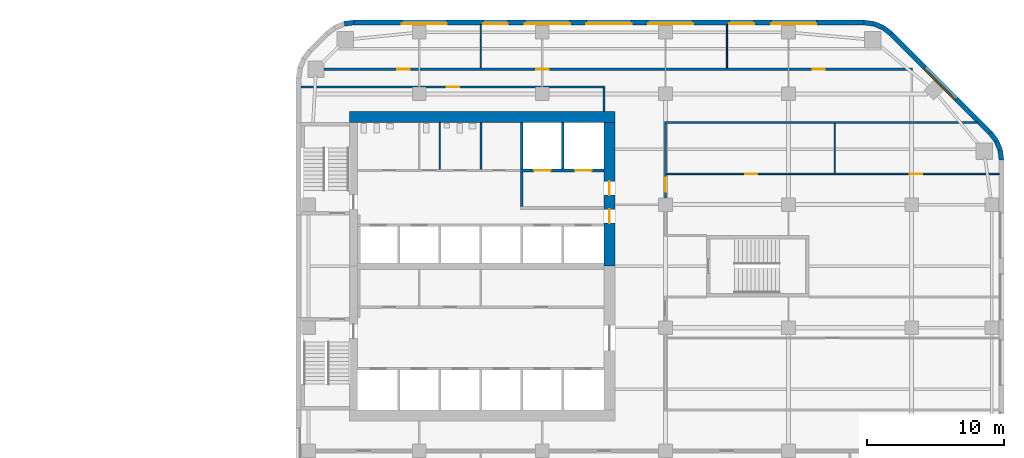
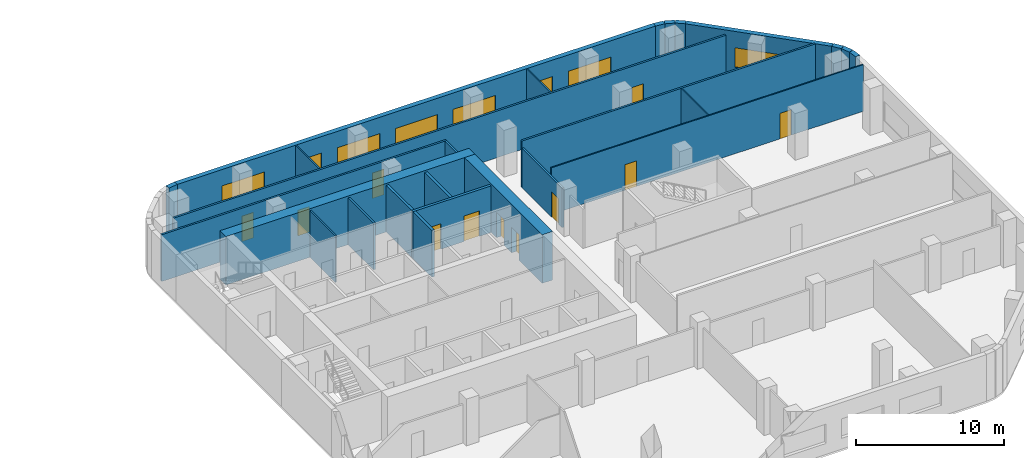
# One storey, part 10 of 14: 26 walls, 11 doors, 8 windows, 19 openings.
"""IFC4 building model written with IfcOpenShell, lengths in metres."""

from ifc_helpers import new_model, si_unit, direction, frame, frame_2d, origin, place, context, subcontext, project, spatial, rectangle, extrude, material, layer, layer_set, type_object, element, fill, save


model = new_model("IFC4")

# Units and contexts
model_context = context("Model", 3, precision=1e-05, world=origin(), true_north=direction((0.0, 1.0)))
body_context = subcontext(model_context, "Body", "Model", "MODEL_VIEW")
ifc_project = project(units=[si_unit("LENGTHUNIT", "METRE"), si_unit("AREAUNIT", "SQUARE_METRE"), si_unit("VOLUMEUNIT", "CUBIC_METRE"), si_unit("PLANEANGLEUNIT", "RADIAN"), si_unit("MASSUNIT", "GRAM", prefix="KILO")], contexts=[model_context])

# Site, building, storey
site_placement = place(None, origin())
site = spatial("IfcSite", under=ifc_project, at=site_placement, CompositionType="ELEMENT")
building_placement = place(site_placement, origin())
building = spatial("IfcBuilding", under=site, at=building_placement, Name="Cinnabar Reach Civic Tower", CompositionType="ELEMENT")
storey_placement = place(building_placement, frame((0.0, 0.0, 112.0)))
storey = spatial("IfcBuildingStorey", under=building, at=storey_placement, Name="L26", CompositionType="ELEMENT", Elevation=112.0)

# Walls
ifc_material_1 = material(Name="Facing brick with insulated backing", Category="masonry")
ifc_layer_1 = layer(ifc_material_1, 0.36)
ifc_layer_set_1 = layer_set([ifc_layer_1], Name="Brick corner wall")
wall_type_1 = type_object("IfcWallType", Name="Brick corner wall", PredefinedType="STANDARD", material=ifc_layer_set_1)
for number, where, z_axis, x_axis, name in (
    (1, (51.567, 39.2686, 0.0), (0.0, 0.0, 1.0), (-0.13055608231, 0.99144092581, 0.0), "Brick corner wall"),
    (2, (51.4681, 39.9973, 0.0), (0.0, 0.0, 1.0), (-0.382702709855, 0.923871547278, 0.0), "Brick corner wall"),
):
    element("IfcWall", number, at=place(storey_placement, frame(where, z_axis=z_axis, x_axis=x_axis)), inside=storey, type_object=wall_type_1, Name=name, PredefinedType="STANDARD", context=body_context, shape_type="SweptSolid", body=[
        extrude(rectangle(XDim=0.7131, YDim=0.36, at=frame_2d((0.3565, 0.0))), origin(), (0.0, 0.0, 1.0), 3.85),
    ])
for number, where, z_axis, x_axis, name in (
    (3, (51.184, 40.6755, 0.0), (0.0, 0.0, 1.0), (-0.608802368033, 0.793321924995, 0.0), "Brick corner wall"),
    (4, (43.4913, 48.4998, 0.0), (0.0, 0.0, 1.0), (-0.793321924995, 0.608802368033, 0.0), "Brick corner wall"),
):
    element("IfcWall", number, at=place(storey_placement, frame(where, z_axis=z_axis, x_axis=x_axis)), inside=storey, type_object=wall_type_1, Name=name, PredefinedType="STANDARD", context=body_context, shape_type="SweptSolid", body=[
        extrude(rectangle(XDim=0.7132, YDim=0.36, at=frame_2d((0.3566, 0.0))), origin(), (0.0, 0.0, 1.0), 3.85),
    ])
for number, where, z_axis, x_axis, name in (
    (5, (42.9061, 48.9452, 0.0), (0.0, 0.0, 1.0), (-0.923871547278, 0.382702709855, 0.0), "Brick corner wall"),
    (6, (42.2256, 49.2239, 0.0), (0.0, 0.0, 1.0), (-0.99144092581, 0.13055608231, 0.0), "Brick corner wall"),
    (7, (4.2314, 49.317, 0.0), (0.0, 0.0, 1.0), (-0.99144092581, -0.13055608231, 0.0), "Brick corner wall"),
):
    element("IfcWall", number, at=place(storey_placement, frame(where, z_axis=z_axis, x_axis=x_axis)), inside=storey, type_object=wall_type_1, Name=name, PredefinedType="STANDARD", context=body_context, shape_type="SweptSolid", body=[
        extrude(rectangle(XDim=0.7131, YDim=0.36, at=frame_2d((0.3565, 0.0))), origin(), (0.0, 0.0, 1.0), 3.85),
    ])

# Wall, opening, window
ifc_layer_2 = layer(ifc_material_1, 0.36)
ifc_layer_set_2 = layer_set([ifc_layer_2], Name="Brick pier and spandrel wall")
wall_type_2 = type_object("IfcWallType", Name="Brick pier and spandrel wall", PredefinedType="STANDARD", material=ifc_layer_set_2)
wall_1_placement = place(storey_placement, frame((50.744, 41.2514, 0.0), z_axis=(0.0, 0.0, 1.0), x_axis=(-0.707106781187, 0.707106781187, 0.0)))
wall_1 = element("IfcWall", 8, at=wall_1_placement, inside=storey, type_object=wall_type_2, Name="Brick facade wall", PredefinedType="STANDARD", context=body_context, shape_type="SweptSolid", body=[
    extrude(rectangle(XDim=10.2426, YDim=0.36, at=frame_2d((5.1213, 0.0))), origin(), (0.0, 0.0, 1.0), 3.85),
])
opening_1_placement = place(wall_1_placement, frame((3.4713, 0.0, 0.9)))
opening_1 = element("IfcOpeningElement", 9, at=opening_1_placement, cuts=wall_1, Name="Opening W1557", PredefinedType="OPENING", context=body_context, shape_type="SweptSolid", body=[
    extrude(rectangle(XDim=3.3, YDim=1.6, at=frame_2d((1.65, 0.8))), frame((0.0, 0.19, 0.0), z_axis=(0.0, -1.0, 0.0), x_axis=(1.0, 0.0, 0.0)), (0.0, 0.0, 1.0), 0.38),
])
ifc_material_2 = material(Name="Clear double glazing in aluminium frame", Category="aluminium")
window_type_1 = type_object("IfcWindowType", Name="Deep-set window A", PartitioningType="SINGLE_PANEL", PredefinedType="WINDOW", material=ifc_material_2)
window_1_placement = place(opening_1_placement, origin())
window_1 = element("IfcWindow", 10, at=window_1_placement, inside=storey, type_object=window_type_1, Name="Window northeast face", OverallHeight=1.6, OverallWidth=3.3, PartitioningType="SINGLE_PANEL", PredefinedType="WINDOW", context=body_context, shape_type="SweptSolid", body=[
    extrude(rectangle(XDim=3.3, YDim=1.6, at=frame_2d((1.65, 0.8))), frame((0.0, 0.13, 0.0), z_axis=(0.0, -1.0, 0.0), x_axis=(1.0, 0.0, 0.0)), (0.0, 0.0, 1.0), 0.06),
])
fill(opening_1, window_1)

# Wall, openings, windows
wall_2_placement = place(storey_placement, frame((41.5074, 49.32, 0.0), z_axis=(0.0, 0.0, 1.0), x_axis=(-1.0, 0.0, 0.0)))
wall_2 = element("IfcWall", 11, at=wall_2_placement, inside=storey, type_object=wall_type_2, Name="Brick facade wall", PredefinedType="STANDARD", context=body_context, shape_type="SweptSolid", body=[
    extrude(rectangle(XDim=37.2648, YDim=0.36, at=frame_2d((18.6324, 0.0))), origin(), (0.0, 0.0, 1.0), 3.85),
])
opening_2_placement = place(wall_2_placement, frame((3.4824, 0.0, 0.9)))
opening_2 = element("IfcOpeningElement", 12, at=opening_2_placement, cuts=wall_2, Name="Opening W1558", PredefinedType="OPENING", context=body_context, shape_type="SweptSolid", body=[
    extrude(rectangle(XDim=3.3, YDim=1.6, at=frame_2d((1.65, 0.8))), frame((0.0, 0.19, 0.0), z_axis=(0.0, -1.0, 0.0), x_axis=(1.0, 0.0, 0.0)), (0.0, 0.0, 1.0), 0.38),
])
opening_3_placement = place(wall_2_placement, frame((8.0324, 0.0, 0.9)))
opening_3 = element("IfcOpeningElement", 13, at=opening_3_placement, cuts=wall_2, Name="Opening W1559", PredefinedType="OPENING", context=body_context, shape_type="SweptSolid", body=[
    extrude(rectangle(XDim=1.8, YDim=1.6, at=frame_2d((0.9, 0.8))), frame((0.0, 0.19, 0.0), z_axis=(0.0, -1.0, 0.0), x_axis=(1.0, 0.0, 0.0)), (0.0, 0.0, 1.0), 0.38),
])
opening_4_placement = place(wall_2_placement, frame((12.4824, 0.0, 0.9)))
opening_4 = element("IfcOpeningElement", 14, at=opening_4_placement, cuts=wall_2, Name="Opening W1560", PredefinedType="OPENING", context=body_context, shape_type="SweptSolid", body=[
    extrude(rectangle(XDim=3.3, YDim=1.6, at=frame_2d((1.65, 0.8))), frame((0.0, 0.19, 0.0), z_axis=(0.0, -1.0, 0.0), x_axis=(1.0, 0.0, 0.0)), (0.0, 0.0, 1.0), 0.38),
])
opening_5_placement = place(wall_2_placement, frame((16.9824, 0.0, 0.9)))
opening_5 = element("IfcOpeningElement", 15, at=opening_5_placement, cuts=wall_2, Name="Opening W1561", PredefinedType="OPENING", context=body_context, shape_type="SweptSolid", body=[
    extrude(rectangle(XDim=3.3, YDim=1.6, at=frame_2d((1.65, 0.8))), frame((0.0, 0.19, 0.0), z_axis=(0.0, -1.0, 0.0), x_axis=(1.0, 0.0, 0.0)), (0.0, 0.0, 1.0), 0.38),
])
opening_6_placement = place(wall_2_placement, frame((21.4824, 0.0, 0.9)))
opening_6 = element("IfcOpeningElement", 16, at=opening_6_placement, cuts=wall_2, Name="Opening W1562", PredefinedType="OPENING", context=body_context, shape_type="SweptSolid", body=[
    extrude(rectangle(XDim=3.3, YDim=1.6, at=frame_2d((1.65, 0.8))), frame((0.0, 0.19, 0.0), z_axis=(0.0, -1.0, 0.0), x_axis=(1.0, 0.0, 0.0)), (0.0, 0.0, 1.0), 0.38),
])
opening_7_placement = place(wall_2_placement, frame((26.0324, 0.0, 0.9)))
opening_7 = element("IfcOpeningElement", 17, at=opening_7_placement, cuts=wall_2, Name="Opening W1563", PredefinedType="OPENING", context=body_context, shape_type="SweptSolid", body=[
    extrude(rectangle(XDim=1.8, YDim=1.6, at=frame_2d((0.9, 0.8))), frame((0.0, 0.19, 0.0), z_axis=(0.0, -1.0, 0.0), x_axis=(1.0, 0.0, 0.0)), (0.0, 0.0, 1.0), 0.38),
])
opening_8_placement = place(wall_2_placement, frame((30.4824, 0.0, 0.9)))
opening_8 = element("IfcOpeningElement", 18, at=opening_8_placement, cuts=wall_2, Name="Opening W1564", PredefinedType="OPENING", context=body_context, shape_type="SweptSolid", body=[
    extrude(rectangle(XDim=3.3, YDim=1.6, at=frame_2d((1.65, 0.8))), frame((0.0, 0.19, 0.0), z_axis=(0.0, -1.0, 0.0), x_axis=(1.0, 0.0, 0.0)), (0.0, 0.0, 1.0), 0.38),
])
window_2_placement = place(opening_2_placement, origin())
window_2 = element("IfcWindow", 19, at=window_2_placement, inside=storey, type_object=window_type_1, Name="Window north face", OverallHeight=1.6, OverallWidth=3.3, PartitioningType="SINGLE_PANEL", PredefinedType="WINDOW", context=body_context, shape_type="SweptSolid", body=[
    extrude(rectangle(XDim=3.3, YDim=1.6, at=frame_2d((1.65, 0.8))), frame((0.0, 0.13, 0.0), z_axis=(0.0, -1.0, 0.0), x_axis=(1.0, 0.0, 0.0)), (0.0, 0.0, 1.0), 0.06),
])
fill(opening_2, window_2)
window_3_placement = place(opening_4_placement, origin())
window_3 = element("IfcWindow", 20, at=window_3_placement, inside=storey, type_object=window_type_1, Name="Window north face", OverallHeight=1.6, OverallWidth=3.3, PartitioningType="SINGLE_PANEL", PredefinedType="WINDOW", context=body_context, shape_type="SweptSolid", body=[
    extrude(rectangle(XDim=3.3, YDim=1.6, at=frame_2d((1.65, 0.8))), frame((0.0, 0.13, 0.0), z_axis=(0.0, -1.0, 0.0), x_axis=(1.0, 0.0, 0.0)), (0.0, 0.0, 1.0), 0.06),
])
fill(opening_4, window_3)
window_4_placement = place(opening_5_placement, origin())
window_4 = element("IfcWindow", 21, at=window_4_placement, inside=storey, type_object=window_type_1, Name="Window north face", OverallHeight=1.6, OverallWidth=3.3, PartitioningType="SINGLE_PANEL", PredefinedType="WINDOW", context=body_context, shape_type="SweptSolid", body=[
    extrude(rectangle(XDim=3.3, YDim=1.6, at=frame_2d((1.65, 0.8))), frame((0.0, 0.13, 0.0), z_axis=(0.0, -1.0, 0.0), x_axis=(1.0, 0.0, 0.0)), (0.0, 0.0, 1.0), 0.06),
])
fill(opening_5, window_4)
window_5_placement = place(opening_6_placement, origin())
window_5 = element("IfcWindow", 22, at=window_5_placement, inside=storey, type_object=window_type_1, Name="Window north face", OverallHeight=1.6, OverallWidth=3.3, PartitioningType="SINGLE_PANEL", PredefinedType="WINDOW", context=body_context, shape_type="SweptSolid", body=[
    extrude(rectangle(XDim=3.3, YDim=1.6, at=frame_2d((1.65, 0.8))), frame((0.0, 0.13, 0.0), z_axis=(0.0, -1.0, 0.0), x_axis=(1.0, 0.0, 0.0)), (0.0, 0.0, 1.0), 0.06),
])
fill(opening_6, window_5)
window_6_placement = place(opening_8_placement, origin())
window_6 = element("IfcWindow", 23, at=window_6_placement, inside=storey, type_object=window_type_1, Name="Window north face", OverallHeight=1.6, OverallWidth=3.3, PartitioningType="SINGLE_PANEL", PredefinedType="WINDOW", context=body_context, shape_type="SweptSolid", body=[
    extrude(rectangle(XDim=3.3, YDim=1.6, at=frame_2d((1.65, 0.8))), frame((0.0, 0.13, 0.0), z_axis=(0.0, -1.0, 0.0), x_axis=(1.0, 0.0, 0.0)), (0.0, 0.0, 1.0), 0.06),
])
fill(opening_8, window_6)
window_type_2 = type_object("IfcWindowType", Name="Deep-set window D", PartitioningType="SINGLE_PANEL", PredefinedType="WINDOW", material=ifc_material_2)
window_7_placement = place(opening_3_placement, origin())
window_7 = element("IfcWindow", 24, at=window_7_placement, inside=storey, type_object=window_type_2, Name="Window north face", OverallHeight=1.6, OverallWidth=1.8, PartitioningType="SINGLE_PANEL", PredefinedType="WINDOW", context=body_context, shape_type="SweptSolid", body=[
    extrude(rectangle(XDim=1.8, YDim=1.6, at=frame_2d((0.9, 0.8))), frame((0.0, 0.13, 0.0), z_axis=(0.0, -1.0, 0.0), x_axis=(1.0, 0.0, 0.0)), (0.0, 0.0, 1.0), 0.06),
])
fill(opening_3, window_7)
window_8_placement = place(opening_7_placement, origin())
window_8 = element("IfcWindow", 25, at=window_8_placement, inside=storey, type_object=window_type_2, Name="Window north face", OverallHeight=1.6, OverallWidth=1.8, PartitioningType="SINGLE_PANEL", PredefinedType="WINDOW", context=body_context, shape_type="SweptSolid", body=[
    extrude(rectangle(XDim=1.8, YDim=1.6, at=frame_2d((0.9, 0.8))), frame((0.0, 0.13, 0.0), z_axis=(0.0, -1.0, 0.0), x_axis=(1.0, 0.0, 0.0)), (0.0, 0.0, 1.0), 0.06),
])
fill(opening_7, window_8)

# Wall
ifc_material_3 = material(Name="Concrete C70", Category="concrete")
ifc_layer_3 = layer(ifc_material_3, 0.8)
ifc_layer_set_3 = layer_set([ifc_layer_3], Name="Core wall 800 EI 180")
wall_type_3 = type_object("IfcWallType", Name="Core wall 800 EI 180", PredefinedType="SOLIDWALL", material=ifc_layer_set_3)
wall_3_placement = place(storey_placement, frame((23.3, 42.4, 0.0), z_axis=(0.0, 0.0, 1.0), x_axis=(-1.0, 0.0, 0.0)))
element("IfcWall", 26, at=wall_3_placement, inside=storey, type_object=wall_type_3, Name="Core wall T1 L26 N", PredefinedType="SOLIDWALL", context=body_context, shape_type="SweptSolid", body=[
    extrude(rectangle(XDim=19.4, YDim=0.8, at=frame_2d((9.7, 0.0))), origin(), (0.0, 0.0, 1.0), 4.0),
])

# Wall, openings, doors
wall_4_placement = place(storey_placement, frame((22.9, 31.5, 0.0), z_axis=(0.0, 0.0, 1.0), x_axis=(0.0, 1.0, 0.0)))
wall_4 = element("IfcWall", 27, at=wall_4_placement, inside=storey, type_object=wall_type_3, Name="Core wall T1 L26 E2", PredefinedType="SOLIDWALL", context=body_context, shape_type="SweptSolid", body=[
    extrude(rectangle(XDim=10.5, YDim=0.8, at=frame_2d((5.25, 0.0))), origin(), (0.0, 0.0, 1.0), 4.0),
])
opening_9_placement = place(wall_4_placement, frame((3.15, 0.0, 0.0)))
opening_9 = element("IfcOpeningElement", 28, at=opening_9_placement, cuts=wall_4, Name="Opening D4062", PredefinedType="OPENING", context=body_context, shape_type="SweptSolid", body=[
    extrude(rectangle(XDim=1.0, YDim=2.1, at=frame_2d((0.5, 1.05))), frame((0.0, 0.41, 0.0), z_axis=(0.0, -1.0, 0.0), x_axis=(1.0, 0.0, 0.0)), (0.0, 0.0, 1.0), 0.82),
])
opening_10_placement = place(wall_4_placement, frame((5.2, 0.0, 0.0)))
opening_10 = element("IfcOpeningElement", 29, at=opening_10_placement, cuts=wall_4, Name="Opening D4063", PredefinedType="OPENING", context=body_context, shape_type="SweptSolid", body=[
    extrude(rectangle(XDim=1.0, YDim=2.1, at=frame_2d((0.5, 1.05))), frame((0.0, 0.41, 0.0), z_axis=(0.0, -1.0, 0.0), x_axis=(1.0, 0.0, 0.0)), (0.0, 0.0, 1.0), 0.82),
])
ifc_material_4 = material(Name="Timber door leaf in steel frame", Category="steel")
door_type_1 = type_object("IfcDoorType", Name="Firefighting lobby door 1000 x 2100 T1", OperationType="SINGLE_SWING_LEFT", PredefinedType="DOOR", material=ifc_material_4)
door_1_placement = place(opening_10_placement, origin())
door_1 = element("IfcDoor", 30, at=door_1_placement, inside=storey, type_object=door_type_1, Name="Door D4063", OperationType="SINGLE_SWING_RIGHT", OverallHeight=2.1, OverallWidth=1.0, PredefinedType="DOOR", context=body_context, shape_type="SweptSolid", body=[
    extrude(rectangle(XDim=1.0, YDim=2.1, at=frame_2d((0.5, 1.05))), frame((0.0, 0.025, 0.0), z_axis=(0.0, -1.0, 0.0), x_axis=(1.0, 0.0, 0.0)), (0.0, 0.0, 1.0), 0.05),
])
fill(opening_10, door_1)
door_type_2 = type_object("IfcDoorType", Name="Single swing door 1000 x 2100 T1", OperationType="SINGLE_SWING_LEFT", PredefinedType="DOOR", material=ifc_material_4)
door_2_placement = place(opening_9_placement, origin())
door_2 = element("IfcDoor", 31, at=door_2_placement, inside=storey, type_object=door_type_2, Name="Door D4062", OperationType="SINGLE_SWING_RIGHT", OverallHeight=2.1, OverallWidth=1.0, PredefinedType="DOOR", context=body_context, shape_type="SweptSolid", body=[
    extrude(rectangle(XDim=1.0, YDim=2.1, at=frame_2d((0.5, 1.05))), frame((0.0, 0.025, 0.0), z_axis=(0.0, -1.0, 0.0), x_axis=(1.0, 0.0, 0.0)), (0.0, 0.0, 1.0), 0.05),
])
fill(opening_9, door_2)

ifc_material_5 = material(Name="Gypsum board on steel studs, double layer", Category="steel")
ifc_layer_4 = layer(ifc_material_5, 0.15)
ifc_layer_set_4 = layer_set([ifc_layer_4], Name="Corridor wall 150 T1")
wall_type_4 = type_object("IfcWallType", Name="Corridor wall 150 T1", PredefinedType="PARTITIONING", material=ifc_layer_set_4)
wall_5_placement = place(storey_placement, frame((2.0531, 45.9, 0.0), z_axis=(0.0, 0.0, 1.0), x_axis=(1.0, 0.0, 0.0)))
wall_5 = element("IfcWall", 32, at=wall_5_placement, inside=storey, type_object=wall_type_4, Name="Corridor wall 25", PredefinedType="PARTITIONING", context=body_context, shape_type="SweptSolid", body=[
    extrude(rectangle(XDim=43.0218, YDim=0.15, at=frame_2d((21.5109, 0.0))), origin(), (0.0, 0.0, 1.0), 3.85),
])
opening_11_placement = place(wall_5_placement, frame((5.35, 0.0, 0.0)))
opening_11 = element("IfcOpeningElement", 33, at=opening_11_placement, cuts=wall_5, Name="Opening D4082", PredefinedType="OPENING", context=body_context, shape_type="SweptSolid", body=[
    extrude(rectangle(XDim=0.9, YDim=2.1, at=frame_2d((0.45, 1.05))), frame((0.0, 0.085, 0.0), z_axis=(0.0, -1.0, 0.0), x_axis=(1.0, 0.0, 0.0)), (0.0, 0.0, 1.0), 0.17),
])
opening_12_placement = place(wall_5_placement, frame((15.4969, 0.0, 0.0)))
opening_12 = element("IfcOpeningElement", 34, at=opening_12_placement, cuts=wall_5, Name="Opening D4083", PredefinedType="OPENING", context=body_context, shape_type="SweptSolid", body=[
    extrude(rectangle(XDim=0.9, YDim=2.1, at=frame_2d((0.45, 1.05))), frame((0.0, 0.085, 0.0), z_axis=(0.0, -1.0, 0.0), x_axis=(1.0, 0.0, 0.0)), (0.0, 0.0, 1.0), 0.17),
])
opening_13_placement = place(wall_5_placement, frame((35.6969, 0.0, 0.0)))
opening_13 = element("IfcOpeningElement", 35, at=opening_13_placement, cuts=wall_5, Name="Opening D4084", PredefinedType="OPENING", context=body_context, shape_type="SweptSolid", body=[
    extrude(rectangle(XDim=0.9, YDim=2.1, at=frame_2d((0.45, 1.05))), frame((0.0, 0.085, 0.0), z_axis=(0.0, -1.0, 0.0), x_axis=(1.0, 0.0, 0.0)), (0.0, 0.0, 1.0), 0.17),
])
door_type_3 = type_object("IfcDoorType", Name="Single swing door 900 x 2100 corridor T1", OperationType="SINGLE_SWING_LEFT", PredefinedType="DOOR", material=ifc_material_4)
door_3_placement = place(opening_11_placement, origin())
door_3 = element("IfcDoor", 36, at=door_3_placement, inside=storey, type_object=door_type_3, Name="Door D4082", OperationType="SINGLE_SWING_LEFT", OverallHeight=2.1, OverallWidth=0.9, PredefinedType="DOOR", context=body_context, shape_type="SweptSolid", body=[
    extrude(rectangle(XDim=0.9, YDim=2.1, at=frame_2d((0.45, 1.05))), frame((0.0, 0.025, 0.0), z_axis=(0.0, -1.0, 0.0), x_axis=(1.0, 0.0, 0.0)), (0.0, 0.0, 1.0), 0.05),
])
fill(opening_11, door_3)
door_4_placement = place(opening_12_placement, origin())
door_4 = element("IfcDoor", 37, at=door_4_placement, inside=storey, type_object=door_type_3, Name="Door D4083", OperationType="SINGLE_SWING_LEFT", OverallHeight=2.1, OverallWidth=0.9, PredefinedType="DOOR", context=body_context, shape_type="SweptSolid", body=[
    extrude(rectangle(XDim=0.9, YDim=2.1, at=frame_2d((0.45, 1.05))), frame((0.0, 0.025, 0.0), z_axis=(0.0, -1.0, 0.0), x_axis=(1.0, 0.0, 0.0)), (0.0, 0.0, 1.0), 0.05),
])
fill(opening_12, door_4)
door_5_placement = place(opening_13_placement, origin())
door_5 = element("IfcDoor", 38, at=door_5_placement, inside=storey, type_object=door_type_3, Name="Door D4084", OperationType="SINGLE_SWING_LEFT", OverallHeight=2.1, OverallWidth=0.9, PredefinedType="DOOR", context=body_context, shape_type="SweptSolid", body=[
    extrude(rectangle(XDim=0.9, YDim=2.1, at=frame_2d((0.45, 1.05))), frame((0.0, 0.025, 0.0), z_axis=(0.0, -1.0, 0.0), x_axis=(1.0, 0.0, 0.0)), (0.0, 0.0, 1.0), 0.05),
])
fill(opening_13, door_5)

# Wall
wall_6_placement = place(storey_placement, frame((26.925, 42.0, 0.0), z_axis=(0.0, 0.0, 1.0), x_axis=(1.0, 0.0, 0.0)))
element("IfcWall", 39, at=wall_6_placement, inside=storey, type_object=wall_type_4, Name="Corridor wall 27", PredefinedType="PARTITIONING", context=body_context, shape_type="SweptSolid", body=[
    extrude(rectangle(XDim=22.8909, YDim=0.15, at=frame_2d((11.4454, 0.0))), origin(), (0.0, 0.0, 1.0), 3.85),
])

# Wall, opening, door
wall_7_placement = place(storey_placement, frame((0.36, 44.6, 0.0), z_axis=(0.0, 0.0, 1.0), x_axis=(1.0, 0.0, 0.0)))
wall_7 = element("IfcWall", 40, at=wall_7_placement, inside=storey, type_object=wall_type_4, Name="Corridor wall 28", PredefinedType="PARTITIONING", context=body_context, shape_type="SweptSolid", body=[
    extrude(rectangle(XDim=22.215, YDim=0.15, at=frame_2d((11.1075, 0.0))), origin(), (0.0, 0.0, 1.0), 3.85),
])
opening_14_placement = place(wall_7_placement, frame((10.65, 0.0, 0.0)))
opening_14 = element("IfcOpeningElement", 41, at=opening_14_placement, cuts=wall_7, Name="Opening D5787", PredefinedType="OPENING", context=body_context, shape_type="SweptSolid", body=[
    extrude(rectangle(XDim=0.9, YDim=2.1, at=frame_2d((0.45, 1.05))), frame((0.0, 0.085, 0.0), z_axis=(0.0, -1.0, 0.0), x_axis=(1.0, 0.0, 0.0)), (0.0, 0.0, 1.0), 0.17),
])
door_6_placement = place(opening_14_placement, frame((0.9, 0.0, 0.0), z_axis=(0.0, 0.0, 1.0), x_axis=(-1.0, 0.0, 0.0)))
door_6 = element("IfcDoor", 42, at=door_6_placement, inside=storey, type_object=door_type_3, Name="Door D5787", OperationType="SINGLE_SWING_LEFT", OverallHeight=2.1, OverallWidth=0.9, PredefinedType="DOOR", context=body_context, shape_type="SweptSolid", body=[
    extrude(rectangle(XDim=0.9, YDim=2.1, at=frame_2d((0.45, 1.05))), frame((0.0, 0.025, 0.0), z_axis=(0.0, -1.0, 0.0), x_axis=(1.0, 0.0, 0.0)), (0.0, 0.0, 1.0), 0.05),
])
fill(opening_14, door_6)

wall_8_placement = place(storey_placement, frame((27.0, 36.5, 0.0), z_axis=(0.0, 0.0, 1.0), x_axis=(0.0, 1.0, 0.0)))
wall_8 = element("IfcWall", 43, at=wall_8_placement, inside=storey, type_object=wall_type_4, Name="Corridor wall 34", PredefinedType="PARTITIONING", context=body_context, shape_type="SweptSolid", body=[
    extrude(rectangle(XDim=5.425, YDim=0.15, at=frame_2d((2.7125, 0.0))), origin(), (0.0, 0.0, 1.0), 3.256),
])
opening_15_placement = place(wall_8_placement, frame((0.45, 0.0, 0.0)))
opening_15 = element("IfcOpeningElement", 44, at=opening_15_placement, cuts=wall_8, Name="Opening D4072", PredefinedType="OPENING", context=body_context, shape_type="SweptSolid", body=[
    extrude(rectangle(XDim=1.0, YDim=2.1, at=frame_2d((0.5, 1.05))), frame((0.0, 0.085, 0.0), z_axis=(0.0, -1.0, 0.0), x_axis=(1.0, 0.0, 0.0)), (0.0, 0.0, 1.0), 0.17),
])
door_type_4 = type_object("IfcDoorType", Name="Tenancy entrance door 1000 x 2100 T1", OperationType="SINGLE_SWING_LEFT", PredefinedType="DOOR", material=ifc_material_4)
door_7_placement = place(opening_15_placement, frame((1.0, 0.0, 0.0), z_axis=(0.0, 0.0, 1.0), x_axis=(-1.0, 0.0, 0.0)))
door_7 = element("IfcDoor", 45, at=door_7_placement, inside=storey, type_object=door_type_4, Name="Door D4072", OperationType="SINGLE_SWING_LEFT", OverallHeight=2.1, OverallWidth=1.0, PredefinedType="DOOR", context=body_context, shape_type="SweptSolid", body=[
    extrude(rectangle(XDim=1.0, YDim=2.1, at=frame_2d((0.5, 1.05))), frame((0.0, 0.025, 0.0), z_axis=(0.0, -1.0, 0.0), x_axis=(1.0, 0.0, 0.0)), (0.0, 0.0, 1.0), 0.05),
])
fill(opening_15, door_7)

# Walls
wall_9_placement = place(storey_placement, frame((22.5, 42.8, 0.0), z_axis=(0.0, 0.0, 1.0), x_axis=(0.0, 1.0, 0.0)))
element("IfcWall", 46, at=wall_9_placement, inside=storey, type_object=wall_type_4, Name="Corridor wall 39", PredefinedType="PARTITIONING", context=body_context, shape_type="SweptSolid", body=[
    extrude(rectangle(XDim=1.725, YDim=0.15, at=frame_2d((0.8625, 0.0))), origin(), (0.0, 0.0, 1.0), 3.85),
])
ifc_material_6 = material(Name="Blockwork", Category="masonry")
ifc_layer_5 = layer(ifc_material_6, 0.2)
ifc_layer_set_5 = layer_set([ifc_layer_5], Name="Lift shaft wall 200 T1")
wall_type_5 = type_object("IfcWallType", Name="Lift shaft wall 200 T1", PredefinedType="PARTITIONING", material=ifc_layer_set_5)
for number, where, z_axis, x_axis, name in (
    (47, (16.5, 38.6, 0.0), (0.0, 0.0, 1.0), (0.0, 1.0, 0.0), "Lift shaft wall 6"),
    (48, (19.5, 38.6, 0.0), (0.0, 0.0, 1.0), (0.0, 1.0, 0.0), "Lift shaft wall 7"),
):
    element("IfcWall", number, at=place(storey_placement, frame(where, z_axis=z_axis, x_axis=x_axis)), inside=storey, type_object=wall_type_5, Name=name, PredefinedType="PARTITIONING", context=body_context, shape_type="SweptSolid", body=[
        extrude(rectangle(XDim=3.4, YDim=0.2, at=frame_2d((1.7, 0.0))), origin(), (0.0, 0.0, 1.0), 3.85),
    ])

# Wall, openings, doors
ifc_material_7 = material(Name="Gypsum board on steel studs", Category="steel")
ifc_layer_6 = layer(ifc_material_7, 0.1)
ifc_layer_set_6 = layer_set([ifc_layer_6], Name="Partition wall 100 T1")
wall_type_6 = type_object("IfcWallType", Name="Partition wall 100 T1", PredefinedType="PARTITIONING", material=ifc_layer_set_6)
wall_10_placement = place(storey_placement, frame((27.075, 38.25, 0.0), z_axis=(0.0, 0.0, 1.0), x_axis=(1.0, 0.0, 0.0)))
wall_10 = element("IfcWall", 49, at=wall_10_placement, inside=storey, type_object=wall_type_6, Name="Partition wall 44", PredefinedType="PARTITIONING", context=body_context, shape_type="SweptSolid", body=[
    extrude(rectangle(XDim=24.315, YDim=0.1, at=frame_2d((12.1575, 0.0))), origin(), (0.0, 0.0, 1.0), 3.85),
])
opening_16_placement = place(wall_10_placement, frame((5.75, 0.0, 0.0)))
opening_16 = element("IfcOpeningElement", 50, at=opening_16_placement, cuts=wall_10, Name="Opening D4073", PredefinedType="OPENING", context=body_context, shape_type="SweptSolid", body=[
    extrude(rectangle(XDim=0.9, YDim=2.1, at=frame_2d((0.45, 1.05))), frame((0.0, 0.06, 0.0), z_axis=(0.0, -1.0, 0.0), x_axis=(1.0, 0.0, 0.0)), (0.0, 0.0, 1.0), 0.12),
])
opening_17_placement = place(wall_10_placement, frame((17.8, 0.0, 0.0)))
opening_17 = element("IfcOpeningElement", 51, at=opening_17_placement, cuts=wall_10, Name="Opening D4074", PredefinedType="OPENING", context=body_context, shape_type="SweptSolid", body=[
    extrude(rectangle(XDim=0.9, YDim=2.1, at=frame_2d((0.45, 1.05))), frame((0.0, 0.06, 0.0), z_axis=(0.0, -1.0, 0.0), x_axis=(1.0, 0.0, 0.0)), (0.0, 0.0, 1.0), 0.12),
])
door_type_5 = type_object("IfcDoorType", Name="Single swing door 900 x 2100 T1", OperationType="SINGLE_SWING_LEFT", PredefinedType="DOOR", material=ifc_material_4)
door_8_placement = place(opening_16_placement, origin())
door_8 = element("IfcDoor", 52, at=door_8_placement, inside=storey, type_object=door_type_5, Name="Door D4073", OperationType="SINGLE_SWING_LEFT", OverallHeight=2.1, OverallWidth=0.9, PredefinedType="DOOR", context=body_context, shape_type="SweptSolid", body=[
    extrude(rectangle(XDim=0.9, YDim=2.1, at=frame_2d((0.45, 1.05))), frame((0.0, 0.025, 0.0), z_axis=(0.0, -1.0, 0.0), x_axis=(1.0, 0.0, 0.0)), (0.0, 0.0, 1.0), 0.05),
])
fill(opening_16, door_8)
door_9_placement = place(opening_17_placement, origin())
door_9 = element("IfcDoor", 53, at=door_9_placement, inside=storey, type_object=door_type_5, Name="Door D4074", OperationType="SINGLE_SWING_RIGHT", OverallHeight=2.1, OverallWidth=0.9, PredefinedType="DOOR", context=body_context, shape_type="SweptSolid", body=[
    extrude(rectangle(XDim=0.9, YDim=2.1, at=frame_2d((0.45, 1.05))), frame((0.0, 0.025, 0.0), z_axis=(0.0, -1.0, 0.0), x_axis=(1.0, 0.0, 0.0)), (0.0, 0.0, 1.0), 0.05),
])
fill(opening_17, door_9)

# Walls
wall_11_placement = place(storey_placement, frame((39.375, 38.3, 0.0), z_axis=(0.0, 0.0, 1.0), x_axis=(0.0, 1.0, 0.0)))
element("IfcWall", 54, at=wall_11_placement, inside=storey, type_object=wall_type_6, Name="Partition wall 51", PredefinedType="PARTITIONING", context=body_context, shape_type="SweptSolid", body=[
    extrude(rectangle(XDim=3.625, YDim=0.1, at=frame_2d((1.8125, 0.0))), origin(), (0.0, 0.0, 1.0), 3.85),
])
wall_12_placement = place(storey_placement, frame((10.5, 38.575, 0.0), z_axis=(0.0, 0.0, 1.0), x_axis=(0.0, 1.0, 0.0)))
element("IfcWall", 55, at=wall_12_placement, inside=storey, type_object=wall_type_6, Name="Partition wall 53", PredefinedType="PARTITIONING", context=body_context, shape_type="SweptSolid", body=[
    extrude(rectangle(XDim=3.425, YDim=0.1, at=frame_2d((1.7125, 0.0))), origin(), (0.0, 0.0, 1.0), 3.85),
])
for number, where, z_axis, x_axis, name in (
    (56, (13.5, 45.975, 0.0), (0.0, 0.0, 1.0), (0.0, 1.0, 0.0), "Partition wall 54"),
    (57, (31.5, 45.975, 0.0), (0.0, 0.0, 1.0), (0.0, 1.0, 0.0), "Partition wall 55"),
):
    element("IfcWall", number, at=place(storey_placement, frame(where, z_axis=z_axis, x_axis=x_axis)), inside=storey, type_object=wall_type_6, Name=name, PredefinedType="PARTITIONING", context=body_context, shape_type="SweptSolid", body=[
        extrude(rectangle(XDim=3.165, YDim=0.1, at=frame_2d((1.5825, 0.0))), origin(), (0.0, 0.0, 1.0), 3.85),
    ])

# Wall, openings, doors
ifc_material_8 = material(Name="Concrete C40", Category="concrete")
ifc_layer_7 = layer(ifc_material_8, 0.2)
ifc_layer_set_7 = layer_set([ifc_layer_7], Name="Refuge compartment wall 200 T1")
wall_type_7 = type_object("IfcWallType", Name="Refuge compartment wall 200 T1", PredefinedType="PARTITIONING", material=ifc_layer_set_7)
wall_13_placement = place(storey_placement, frame((16.4, 38.5, 0.0), z_axis=(0.0, 0.0, 1.0), x_axis=(1.0, 0.0, 0.0)))
wall_13 = element("IfcWall", 58, at=wall_13_placement, inside=storey, type_object=wall_type_7, Name="Refuge compartment wall 2", PredefinedType="PARTITIONING", context=body_context, shape_type="SweptSolid", body=[
    extrude(rectangle(XDim=6.1, YDim=0.2, at=frame_2d((3.05, 0.0))), origin(), (0.0, 0.0, 1.0), 3.85),
])
opening_18_placement = place(wall_13_placement, frame((1.0, 0.0, 0.0)))
opening_18 = element("IfcOpeningElement", 59, at=opening_18_placement, cuts=wall_13, Name="Opening D4059", PredefinedType="OPENING", context=body_context, shape_type="SweptSolid", body=[
    extrude(rectangle(XDim=1.2, YDim=2.1, at=frame_2d((0.6, 1.05))), frame((0.0, 0.11, 0.0), z_axis=(0.0, -1.0, 0.0), x_axis=(1.0, 0.0, 0.0)), (0.0, 0.0, 1.0), 0.22),
])
opening_19_placement = place(wall_13_placement, frame((4.0, 0.0, 0.0)))
opening_19 = element("IfcOpeningElement", 60, at=opening_19_placement, cuts=wall_13, Name="Opening D4060", PredefinedType="OPENING", context=body_context, shape_type="SweptSolid", body=[
    extrude(rectangle(XDim=1.2, YDim=2.1, at=frame_2d((0.6, 1.05))), frame((0.0, 0.11, 0.0), z_axis=(0.0, -1.0, 0.0), x_axis=(1.0, 0.0, 0.0)), (0.0, 0.0, 1.0), 0.22),
])
ifc_material_9 = material(Name="Stainless steel sliding door", Category="steel")
door_type_6 = type_object("IfcDoorType", Name="Firefighting lift landing door 1200 x 2100 T1", OperationType="SLIDING_TO_LEFT", PredefinedType="DOOR", material=ifc_material_9)
door_10_placement = place(opening_18_placement, origin())
door_10 = element("IfcDoor", 61, at=door_10_placement, inside=storey, type_object=door_type_6, Name="Lift landing door FF1 L26", OperationType="SLIDING_TO_LEFT", OverallHeight=2.1, OverallWidth=1.2, PredefinedType="DOOR", context=body_context, shape_type="SweptSolid", body=[
    extrude(rectangle(XDim=1.2, YDim=2.1, at=frame_2d((0.6, 1.05))), frame((0.0, 0.025, 0.0), z_axis=(0.0, -1.0, 0.0), x_axis=(1.0, 0.0, 0.0)), (0.0, 0.0, 1.0), 0.05),
])
fill(opening_18, door_10)
door_11_placement = place(opening_19_placement, origin())
door_11 = element("IfcDoor", 62, at=door_11_placement, inside=storey, type_object=door_type_6, Name="Lift landing door FF2 L26", OperationType="SLIDING_TO_LEFT", OverallHeight=2.1, OverallWidth=1.2, PredefinedType="DOOR", context=body_context, shape_type="SweptSolid", body=[
    extrude(rectangle(XDim=1.2, YDim=2.1, at=frame_2d((0.6, 1.05))), frame((0.0, 0.025, 0.0), z_axis=(0.0, -1.0, 0.0), x_axis=(1.0, 0.0, 0.0)), (0.0, 0.0, 1.0), 0.05),
])
fill(opening_19, door_11)

# Walls
wall_14_placement = place(storey_placement, frame((16.5, 35.85, 0.0), z_axis=(0.0, 0.0, 1.0), x_axis=(0.0, 1.0, 0.0)))
element("IfcWall", 63, at=wall_14_placement, inside=storey, type_object=wall_type_7, Name="Refuge compartment wall 3", PredefinedType="PARTITIONING", context=body_context, shape_type="SweptSolid", body=[
    extrude(rectangle(XDim=2.55, YDim=0.2, at=frame_2d((1.275, 0.0))), origin(), (0.0, 0.0, 1.0), 3.85),
])
ifc_layer_8 = layer(ifc_material_6, 0.15)
ifc_layer_set_8 = layer_set([ifc_layer_8], Name="Riser wall 150 T1")
wall_type_8 = type_object("IfcWallType", Name="Riser wall 150 T1", PredefinedType="PARTITIONING", material=ifc_layer_set_8)
wall_15_placement = place(storey_placement, frame((13.5, 38.575, 0.0), z_axis=(0.0, 0.0, 1.0), x_axis=(0.0, 1.0, 0.0)))
element("IfcWall", 64, at=wall_15_placement, inside=storey, type_object=wall_type_8, Name="Riser wall 41", PredefinedType="PARTITIONING", context=body_context, shape_type="SweptSolid", body=[
    extrude(rectangle(XDim=3.425, YDim=0.15, at=frame_2d((1.7125, 0.0))), origin(), (0.0, 0.0, 1.0), 3.85),
])

save(model, "model.ifc")
